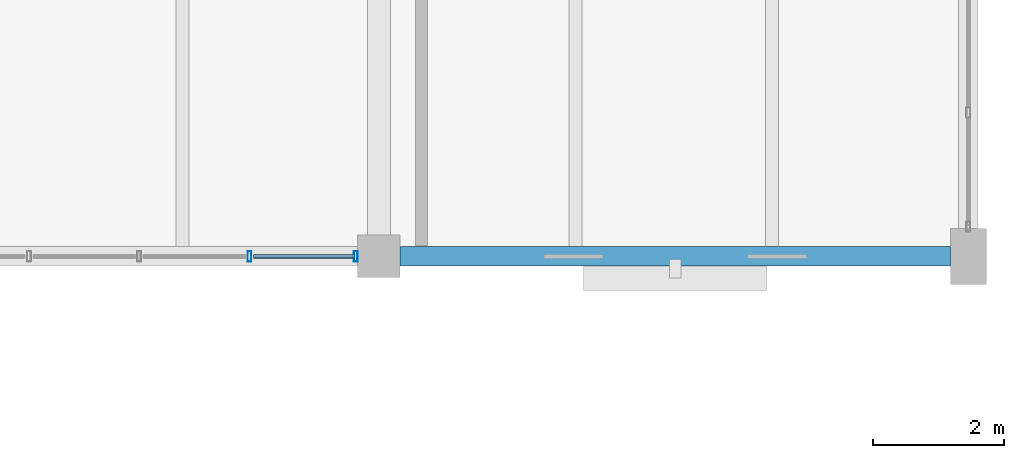
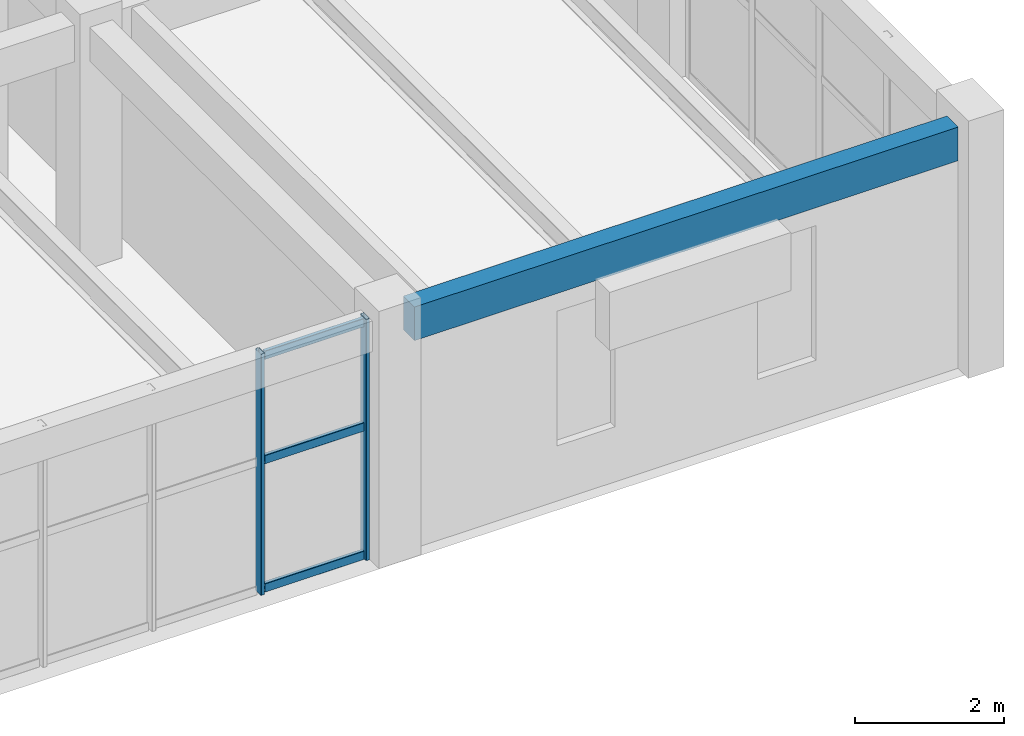
# One storey, part 17 of 71: 5 members, 1 beam, 1 element without a shape of its own.
"""IFC4 building model written with IfcOpenShell, lengths in metres."""

from ifc_helpers import new_model, si_unit, derived_unit, direction, frame, origin, origin_2d, place, context, subcontext, project, spatial, rectangle, hollow_rectangle, extrude, material, material_profile, profile_set, type_object, element, aggregate, save


model = new_model("IFC4")

# Units and contexts
model_context = context("Model", 3, precision=1e-05, world=origin(), true_north=direction((0.0, 1.0)))
body_context = subcontext(model_context, "Body", "Model", "MODEL_VIEW")
ifc_project = project(units=[si_unit("LENGTHUNIT", "METRE"), si_unit("AREAUNIT", "SQUARE_METRE"), si_unit("VOLUMEUNIT", "CUBIC_METRE"), si_unit("PLANEANGLEUNIT", "RADIAN"), si_unit("MASSUNIT", "GRAM", prefix="KILO"), derived_unit("THERMALTRANSMITTANCEUNIT", [(si_unit("MASSUNIT", "GRAM", prefix="KILO"), 1), (si_unit("TIMEUNIT", "SECOND"), -3), (si_unit("THERMODYNAMICTEMPERATUREUNIT", "KELVIN"), -1)])], contexts=[model_context])

# Site, building, storey
site_placement = place(None, origin())
site = spatial("IfcSite", under=ifc_project, at=site_placement, CompositionType="ELEMENT")
building_placement = place(site_placement, origin())
building = spatial("IfcBuilding", under=site, at=building_placement, Name="Zhenchuan Archway Interchange", CompositionType="ELEMENT")
storey_placement = place(building_placement, frame((0.0, 0.0, 18.60009765625)))
storey = spatial("IfcBuildingStorey", under=building, at=storey_placement, Name="L04", CompositionType="ELEMENT", Elevation=18.60009765625)

# Curtain wall, members
ifc_material_1 = material(Name="Anodised Aluminium", Category="aluminium")
curtain_wall_type = type_object("IfcCurtainWallType", Name="CW_UNIT_1", PredefinedType="NOTDEFINED", material=ifc_material_1)
curtain_wall_placement = place(storey_placement, origin())
curtain_wall = element("IfcCurtainWall", 1, at=curtain_wall_placement, inside=storey, type_object=curtain_wall_type, Name="Unitised curtain wall CW:L04:188", PredefinedType="NOTDEFINED")
ifc_material_profile_1 = material_profile(ifc_material_1, hollow_rectangle(XDim=0.06005859375, YDim=0.159912109375, WallThickness=0.00390625, InnerFilletRadius=0.00390625, OuterFilletRadius=0.008056640625, at=origin_2d()), Name="ALU 160x60x4")
ifc_profile_set_1 = profile_set([ifc_material_profile_1], Name="Anodised Aluminium")
member_type_1 = type_object("IfcMemberType", Name="CW_MUL_150", PredefinedType="MULLION", material=ifc_profile_set_1)
member_1_placement = place(storey_placement, frame((161.64697265625, 8.0, 0.0), z_axis=(0.0, 0.0, 1.0), x_axis=(1.0, 0.0, 0.0)))
member_1 = element("IfcMember", 2, at=member_1_placement, type_object=member_type_1, Name="CW:L04:188 mullion 0", PredefinedType="MULLION", context=body_context, shape_type="SweptSolid", body=[
    extrude(hollow_rectangle(XDim=0.06005859375, YDim=0.159912109375, WallThickness=0.00390625, InnerFilletRadius=0.00390625, OuterFilletRadius=0.008056640625, at=origin_2d()), origin(), (0.0, 0.0, 1.0), 3.93994140625),
])
member_2_placement = place(storey_placement, frame((160.024169921875, 8.0, 0.0), z_axis=(0.0, 0.0, 1.0), x_axis=(1.0, 0.0, 0.0)))
member_2 = element("IfcMember", 3, at=member_2_placement, type_object=member_type_1, Name="CW:L04:188 mullion 1", PredefinedType="MULLION", context=body_context, shape_type="SweptSolid", body=[
    extrude(hollow_rectangle(XDim=0.06005859375, YDim=0.159912109375, WallThickness=0.00390625, InnerFilletRadius=0.00390625, OuterFilletRadius=0.008056640625, at=origin_2d()), origin(), (0.0, 0.0, 1.0), 3.93994140625),
])
ifc_material_profile_2 = material_profile(ifc_material_1, hollow_rectangle(XDim=0.06005859375, YDim=0.139892578125, WallThickness=0.00341796875, InnerFilletRadius=0.00341796875, OuterFilletRadius=0.007080078125, at=origin_2d()), Name="ALU 140x60x3.5")
ifc_profile_set_2 = profile_set([ifc_material_profile_2], Name="Anodised Aluminium")
member_type_2 = type_object("IfcMemberType", Name="CW_TRN_140", PredefinedType="USERDEFINED", material=ifc_profile_set_2)
member_3_placement = place(storey_placement, frame((161.626953125, 8.0, 0.059814453125), z_axis=(-1.0, 0.0, 0.0), x_axis=(0.0, -1.0, 0.0)))
member_3 = element("IfcMember", 4, at=member_3_placement, type_object=member_type_2, Name="CW:L04:188 transom 0-1", ObjectType="TRANSOM", PredefinedType="USERDEFINED", context=body_context, shape_type="SweptSolid", body=[
    extrude(hollow_rectangle(XDim=0.06005859375, YDim=0.139892578125, WallThickness=0.00341796875, InnerFilletRadius=0.00341796875, OuterFilletRadius=0.007080078125, at=origin_2d()), origin(), (0.0, 0.0, 1.0), 1.542724609375),
])
member_4_placement = place(storey_placement, frame((161.626953125, 8.0, 2.156005859375), z_axis=(-1.0, 0.0, 0.0), x_axis=(0.0, -1.0, 0.0)))
member_4 = element("IfcMember", 5, at=member_4_placement, type_object=member_type_2, Name="CW:L04:188 transom 0-2", ObjectType="TRANSOM", PredefinedType="USERDEFINED", context=body_context, shape_type="SweptSolid", body=[
    extrude(hollow_rectangle(XDim=0.06005859375, YDim=0.139892578125, WallThickness=0.00341796875, InnerFilletRadius=0.00341796875, OuterFilletRadius=0.007080078125, at=origin_2d()), origin(), (0.0, 0.0, 1.0), 1.542724609375),
])
member_5_placement = place(storey_placement, frame((161.626953125, 8.0, 3.85986328125), z_axis=(-1.0, 0.0, 0.0), x_axis=(0.0, -1.0, 0.0)))
member_5 = element("IfcMember", 6, at=member_5_placement, type_object=member_type_2, Name="CW:L04:188 transom 0-3", ObjectType="TRANSOM", PredefinedType="USERDEFINED", context=body_context, shape_type="SweptSolid", body=[
    extrude(hollow_rectangle(XDim=0.06005859375, YDim=0.139892578125, WallThickness=0.00341796875, InnerFilletRadius=0.00341796875, OuterFilletRadius=0.007080078125, at=origin_2d()), origin(), (0.0, 0.0, 1.0), 1.542724609375),
])
aggregate(curtain_wall, [member_1, member_2, member_3, member_4, member_5])

# Beam
ifc_material_2 = material(Name="Concrete C40", Category="concrete")
ifc_material_profile_3 = material_profile(ifc_material_2, rectangle(XDim=0.300048828125, YDim=0.550048828125, at=origin_2d()), Name="RC 300x550")
ifc_profile_set_3 = profile_set([ifc_material_profile_3], Name="Concrete C40")
beam_type = type_object("IfcBeamType", Name="SP_RC_300x550", PredefinedType="SPANDREL", material=ifc_profile_set_3)
beam_placement = place(storey_placement, frame((162.324951171875, 8.0, 3.664794921875), z_axis=(1.0, 0.0, 0.0), x_axis=(0.0, 1.0, 0.0)))
element("IfcBeam", 7, at=beam_placement, inside=storey, type_object=beam_type, Name="Beam B:19-20 (L04)", PredefinedType="SPANDREL", context=body_context, shape_type="SweptSolid", body=[
    extrude(rectangle(XDim=0.300048828125, YDim=0.550048828125, at=origin_2d()), origin(), (0.0, 0.0, 1.0), 8.400146484375),
])

save(model, "model.ifc")
